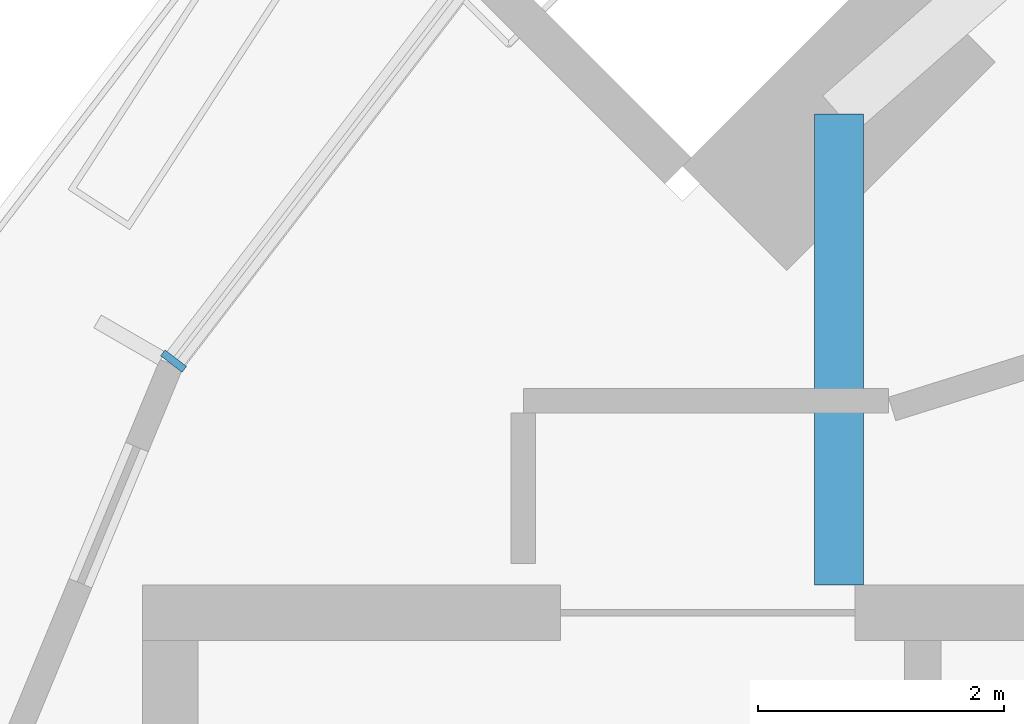
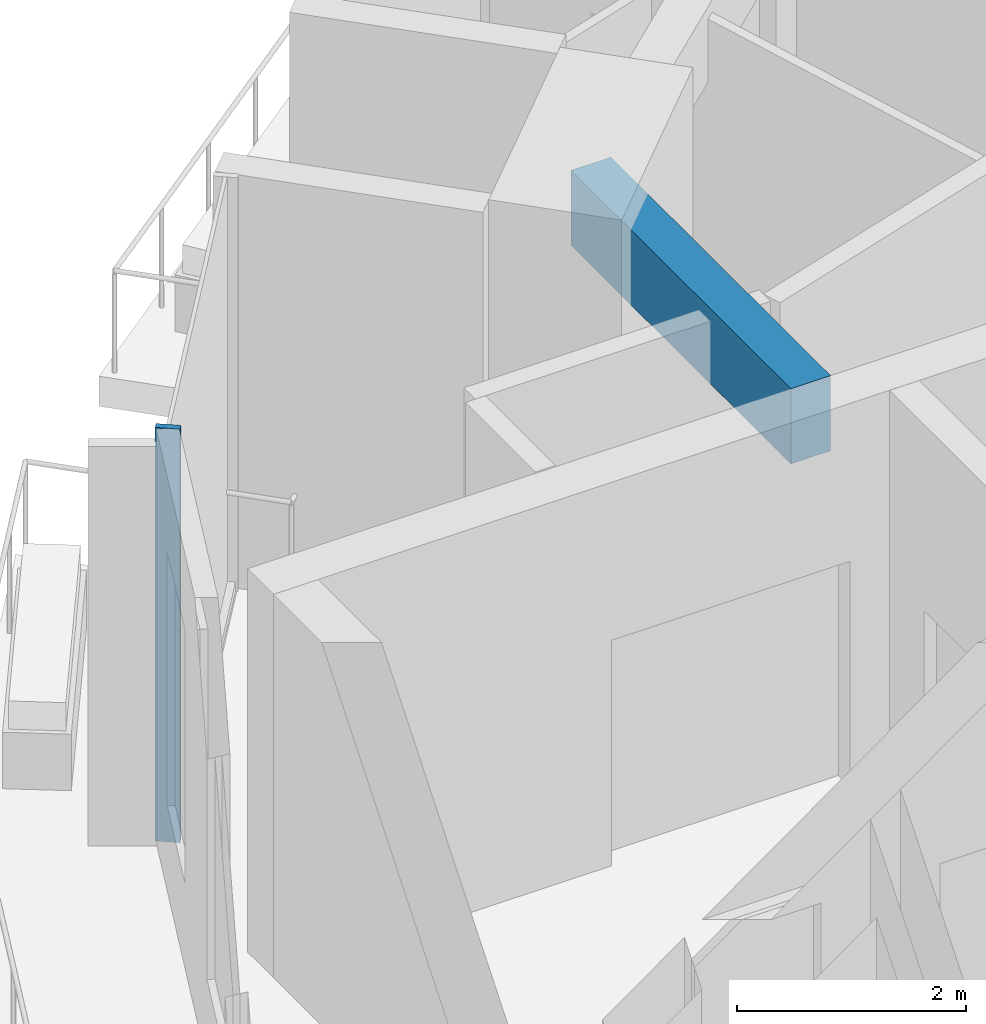
# One storey, part 3 of 15: 1 beam, 1 member, 1 element without a shape of its own.
"""IFC4 building model written with IfcOpenShell, lengths in metres."""

from ifc_helpers import new_model, si_unit, direction, frame, origin, origin_2d, place, context, subcontext, project, spatial, rectangle, extrude, material, layer, layer_set, material_profile, profile_set, type_object, element, aggregate, save


model = new_model("IFC4")

# Units and contexts
model_context = context("Model", 3, precision=1e-05, world=origin(), true_north=direction((0.0, 1.0)))
body_context = subcontext(model_context, "Body", "Model", "MODEL_VIEW")
ifc_project = project(units=[si_unit("LENGTHUNIT", "METRE"), si_unit("AREAUNIT", "SQUARE_METRE"), si_unit("VOLUMEUNIT", "CUBIC_METRE"), si_unit("PLANEANGLEUNIT", "RADIAN"), si_unit("MASSUNIT", "GRAM", prefix="KILO")], contexts=[model_context])

# Site, building, storey
site_placement = place(None, origin())
site = spatial("IfcSite", under=ifc_project, at=site_placement, CompositionType="ELEMENT")
building_placement = place(site_placement, origin())
building = spatial("IfcBuilding", under=site, at=building_placement, Name="Torre Brocal", CompositionType="ELEMENT")
storey_placement = place(building_placement, frame((0.0, 0.0, 314.89990234375)))
storey = spatial("IfcBuildingStorey", under=building, at=storey_placement, Name="L72", CompositionType="ELEMENT", Elevation=314.89990234375)

# Curtain wall, member
ifc_material_1 = material(Name="Aluminium and glass", Category="aluminium")
ifc_layer = layer(ifc_material_1, 0.199951171875)
ifc_layer_set = layer_set([ifc_layer], Name="Aluminium and glass")
curtain_wall_type = type_object("IfcCurtainWallType", Name="CW-5 CURTAIN WALL 4400 HIGH", PredefinedType="NOTDEFINED", material=ifc_layer_set)
curtain_wall_placement = place(storey_placement, origin())
curtain_wall = element("IfcCurtainWall", 1, at=curtain_wall_placement, inside=storey, type_object=curtain_wall_type, Name="CW-5 RUN 10", PredefinedType="NOTDEFINED")
ifc_material_2 = material(Name="Aluminium, dark anodised", Category="aluminium")
ifc_material_profile_1 = material_profile(ifc_material_2, rectangle(XDim=0.219970703125, YDim=0.06005859375, at=origin_2d()), Name="CW-5 MULLION 60X220")
ifc_profile_set_1 = profile_set([ifc_material_profile_1], Name="Aluminium, dark anodised")
member_type = type_object("IfcMemberType", Name="CW-5 MULLION 60X220", PredefinedType="MULLION", material=ifc_profile_set_1)
member_placement = place(storey_placement, frame((62.35205078125, 85.223388671875, 0.0), z_axis=(0.0, 0.0, 1.0), x_axis=(0.793353340376, -0.608761428898, 0.0)))
member = element("IfcMember", 2, at=member_placement, type_object=member_type, Name="CW5-1 mullion 2", PredefinedType="MULLION", context=body_context, shape_type="SweptSolid", body=[
    extrude(rectangle(XDim=0.219970703125, YDim=0.06005859375, at=origin_2d()), origin(), (0.0, 0.0, 1.0), 4.400146484375),
])
aggregate(curtain_wall, [member])

# Beam
ifc_material_3 = material(Name="Concrete C50", Category="concrete")
ifc_material_profile_2 = material_profile(ifc_material_3, rectangle(XDim=0.39990234375, YDim=0.800048828125, at=origin_2d()), Name="RC 400X800")
ifc_profile_set_2 = profile_set([ifc_material_profile_2], Name="Concrete C50")
beam_type = type_object("IfcBeamType", Name="RC SPANDREL BEAM 400X800 C50 TOP 4080", PredefinedType="SPANDREL", material=ifc_profile_set_2)
beam_placement = place(storey_placement, frame((67.76708984375, 87.23291015625, 3.68017578125), z_axis=(0.0, -1.0, 0.0), x_axis=(1.0, 0.0, 0.0)))
element("IfcBeam", 3, at=beam_placement, inside=storey, type_object=beam_type, Name="Beam BT-50", PredefinedType="SPANDREL", context=body_context, shape_type="SweptSolid", body=[
    extrude(rectangle(XDim=0.39990234375, YDim=0.800048828125, at=origin_2d()), origin(), (0.0, 0.0, 1.0), 3.8330078125),
])

save(model, "model.ifc")
